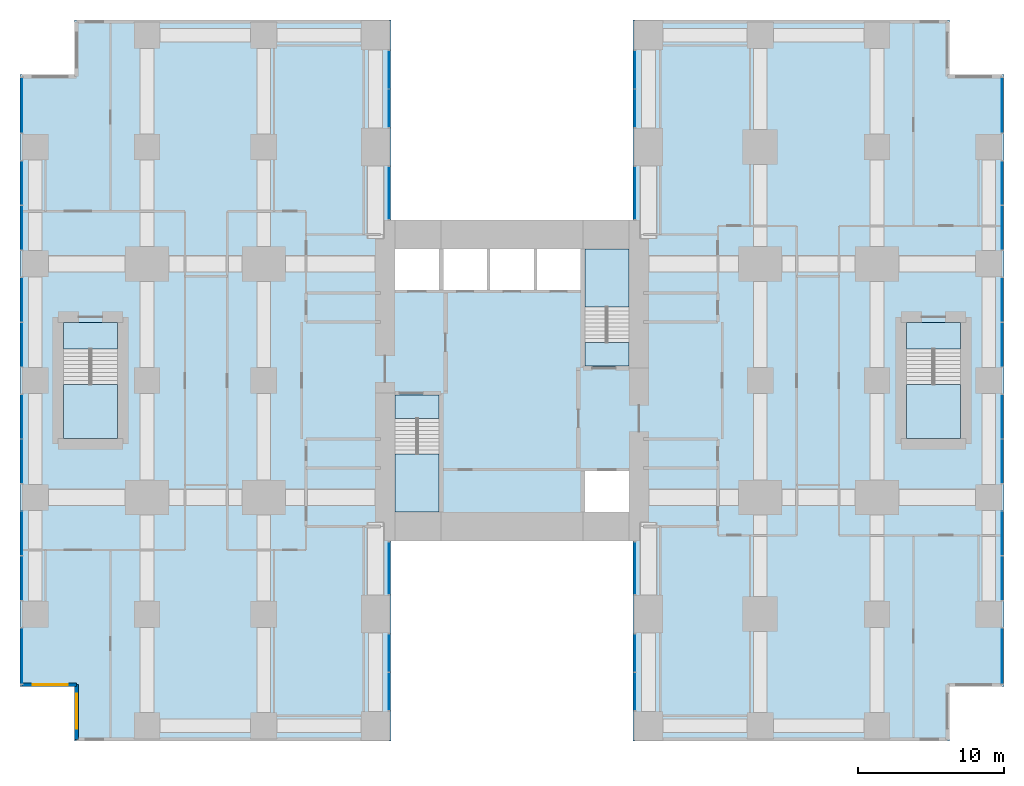
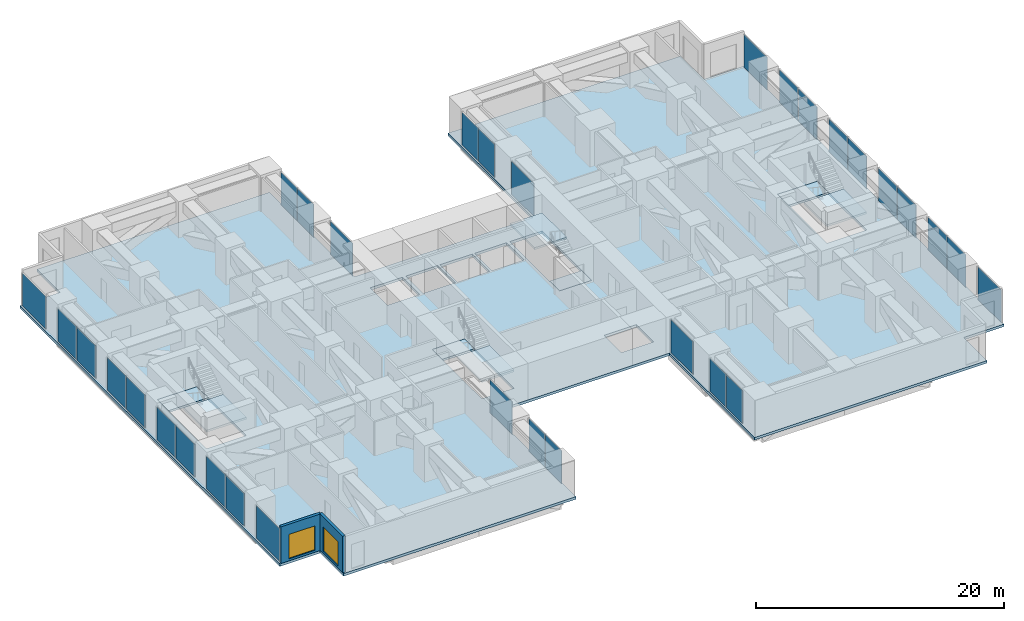
# One storey, part 9 of 14: 32 plates, 9 slabs, 2 walls, 2 windows, 2 openings, 24 elements without a shape of their own.
"""IFC4 building model written with IfcOpenShell, lengths in metres."""

import ifcopenshell
import ifcopenshell.guid

model = None  # the IFC model being written
_history = None  # IfcOwnerHistory: only IFC2X3 demands one
_inside = {}  # id of a spatial element -> (the spatial element, [elements in it])
_under = {}  # id of a project, library or spatial element -> (it, [spatial elements below it])
_declared = {}  # id of a project -> (the project, [libraries it declares])
_typed = {}  # id of a type object -> (the type object, [elements of that type])
_made_of = {}  # id of a material, layer set ... -> (it, [elements and type objects made of it])


def new_model(schema):
    """Start an empty IFC model of exactly this schema.

    Asked for "IFC4X3", IfcOpenShell would pick the latest addendum, in which some entities
    have other attributes; the version numbers below select the first issue.
    IFC2X3 requires an IfcOwnerHistory on every rooted entity: one is made here for all.
    """
    global model, _history
    if schema == "IFC4X3":
        model = ifcopenshell.file(schema_version=(4, 3, 0, 0))
    else:
        model = ifcopenshell.file(schema=schema)
    _inside.clear()
    _under.clear()
    _declared.clear()
    _typed.clear()
    _made_of.clear()
    _history = None
    if model.schema == "IFC2X3":
        org = make("IfcOrganization", Name="unknown")
        user = make(
            "IfcPersonAndOrganization",
            ThePerson=make("IfcPerson", FamilyName="unknown"),
            TheOrganization=org,
        )
        app = make(
            "IfcApplication",
            ApplicationDeveloper=org,
            Version="unknown",
            ApplicationFullName="unknown",
            ApplicationIdentifier="unknown",
        )
        _history = make(
            "IfcOwnerHistory",
            OwningUser=user,
            OwningApplication=app,
            ChangeAction="ADDED",
            CreationDate=0,
        )
    return model


def make(cls, **values):
    """One entity of the class cls with the attributes given. An attribute that is None is left unset."""
    return model.create_entity(
        cls, **{name: value for name, value in values.items() if value is not None}
    )


def rooted(cls, **values):
    """An entity with a GlobalId (a new one), such as an element, a storey or a relation."""
    return make(cls, GlobalId=ifcopenshell.guid.new(), OwnerHistory=_history, **values)


def si_unit(unit_type, name, prefix=None):
    """IfcSIUnit, for example si_unit("LENGTHUNIT", "METRE", prefix="MILLI")."""
    return make("IfcSIUnit", UnitType=unit_type, Prefix=prefix, Name=name)


def assignment(units):
    """IfcUnitAssignment: the units of a project."""
    return None if units is None else make("IfcUnitAssignment", Units=units)


def point(xyz):
    """IfcCartesianPoint."""
    return None if xyz is None else make("IfcCartesianPoint", Coordinates=xyz)


def direction(xyz):
    """IfcDirection."""
    return None if xyz is None else make("IfcDirection", DirectionRatios=xyz)


def frame(location, z_axis=None, x_axis=None):
    """IfcAxis2Placement3D, a coordinate frame: its origin and axes. An axis left out is left unset."""
    return make(
        "IfcAxis2Placement3D",
        Location=point(location),
        Axis=direction(z_axis),
        RefDirection=direction(x_axis),
    )


def frame_2d(location, x_axis=None):
    """IfcAxis2Placement2D, a coordinate frame in the plane: its origin and x axis."""
    return make(
        "IfcAxis2Placement2D", Location=point(location), RefDirection=direction(x_axis)
    )


def origin():
    """The frame at (0, 0, 0) with its axes left unset."""
    return frame((0.0, 0.0, 0.0))


def origin_2d():
    """The frame at (0, 0) in the plane with its x axis left unset."""
    return frame_2d((0.0, 0.0))


def place(relative_to, where):
    """IfcLocalPlacement: puts the frame where relative to a parent placement (None: the world)."""
    return make(
        "IfcLocalPlacement", PlacementRelTo=relative_to, RelativePlacement=where
    )


def context(
    kind, dimensions, precision=None, world=None, true_north=None, identifier=None
):
    """IfcGeometricRepresentationContext, for example the 3D "Model" context."""
    return make(
        "IfcGeometricRepresentationContext",
        ContextIdentifier=identifier,
        ContextType=kind,
        CoordinateSpaceDimension=dimensions,
        Precision=precision,
        WorldCoordinateSystem=world,
        TrueNorth=true_north,
    )


def subcontext(parent, identifier, kind, view, scale=None):
    """IfcGeometricRepresentationSubContext, for example "Body" below "Model"."""
    return make(
        "IfcGeometricRepresentationSubContext",
        ContextIdentifier=identifier,
        ContextType=kind,
        ParentContext=parent,
        TargetScale=scale,
        TargetView=view,
    )


def project(units=None, contexts=None):
    """IfcProject with its units and contexts."""
    return rooted(
        "IfcProject",
        Name="project",
        RepresentationContexts=contexts,
        UnitsInContext=assignment(units),
    )


def spatial(cls, under=None, at=None, **own):
    """A site, building, storey or space (cls), placed at a placement, below another one or the project."""
    s = rooted(cls, ObjectPlacement=at, **own)
    if under is not None:
        _under.setdefault(under.id(), (under, []))[1].append(s)
    return s


def polyline(points):
    """IfcPolyline through the points."""
    return make("IfcPolyline", Points=[point(p) for p in points])


def profile(cls, at=None, kind="AREA", **sizes):
    """A parametric profile (cls). Its sizes go by their IFC names, for example OverallWidth=200.0."""
    return make(cls, ProfileType=kind, Position=at, **sizes)


def rectangle(**sizes):
    """IfcRectangleProfileDef."""
    return profile("IfcRectangleProfileDef", **sizes)


def outline(outer, holes=None, kind="AREA"):
    """IfcArbitraryClosedProfileDef: a profile drawn as a closed curve; with holes, ...WithVoids."""
    if holes is None:
        return make("IfcArbitraryClosedProfileDef", ProfileType=kind, OuterCurve=outer)
    return make(
        "IfcArbitraryProfileDefWithVoids",
        ProfileType=kind,
        OuterCurve=outer,
        InnerCurves=holes,
    )


def extrude(swept, where, along, depth):
    """IfcExtrudedAreaSolid: the profile swept, set in the frame where, extruded along a direction by depth."""
    return make(
        "IfcExtrudedAreaSolid",
        SweptArea=swept,
        Position=where,
        ExtrudedDirection=direction(along),
        Depth=depth,
    )


def shape(context_of_items, identifier, shape_type, items):
    """IfcShapeRepresentation: the items that make up one representation, for example the "Body"."""
    return make(
        "IfcShapeRepresentation",
        ContextOfItems=context_of_items,
        RepresentationIdentifier=identifier,
        RepresentationType=shape_type,
        Items=items,
    )


def material(Name=None, Category=None):
    """IfcMaterial."""
    return make("IfcMaterial", Name=Name, Category=Category)


def layer(
    of_material, thickness, ventilated=None, Name=None, Category=None, Priority=None
):
    """IfcMaterialLayer: one layer of a wall or slab, of a material (None: an air gap)."""
    return make(
        "IfcMaterialLayer",
        Material=of_material,
        LayerThickness=thickness,
        IsVentilated=ventilated,
        Name=Name,
        Category=Category,
        Priority=Priority,
    )


def layer_set(layers, Name=None):
    """IfcMaterialLayerSet."""
    return make("IfcMaterialLayerSet", MaterialLayers=layers, LayerSetName=Name)


def made_of(thing, what):
    """Note that an element or type object is made of a material, layer set ...; save() writes the relation."""
    if what is not None:
        _made_of.setdefault(what.id(), (what, []))[1].append(thing)
    return thing


def type_object(cls, material=None, **own):
    """A type object (cls), such as IfcWallType, which elements share."""
    return made_of(rooted(cls, **own), material)


def element(
    cls,
    number,
    at=None,
    inside=None,
    cuts=None,
    type_object=None,
    material=None,
    context=None,
    identifier="Body",
    shape_type=None,
    held_by="IfcProductDefinitionShape",
    body=None,
    shapes=None,
    **own,
):
    """One element of the class cls, such as IfcWall. Its Tag is "e" and its number.

    at: its placement. inside: the storey or other place that contains it. cuts: it is an
    opening in that element (IfcRelVoidsElement). A single representation is given by context,
    identifier, shape_type and body (its items); several are given by shapes. held_by: the class
    of the entity that holds the representations. save() writes the other relations.
    """
    e = rooted(cls, Tag="e%d" % number, ObjectPlacement=at, **own)
    if body is not None:
        shapes = [shape(context, identifier, shape_type, body)]
    if shapes is not None:
        e.Representation = make(held_by, Representations=shapes)
    if inside is not None:
        _inside.setdefault(inside.id(), (inside, []))[1].append(e)
    if cuts is not None:
        rooted(
            "IfcRelVoidsElement", RelatingBuildingElement=cuts, RelatedOpeningElement=e
        )
    if type_object is not None:
        _typed.setdefault(type_object.id(), (type_object, []))[1].append(e)
    return made_of(e, material)


def fill(opening, filler):
    """IfcRelFillsElement: the door or window that sits in an opening."""
    return rooted(
        "IfcRelFillsElement",
        RelatingOpeningElement=opening,
        RelatedBuildingElement=filler,
    )


def aggregate(whole, parts):
    """IfcRelAggregates: a whole, such as a stair, and the parts it consists of."""
    return rooted("IfcRelAggregates", RelatingObject=whole, RelatedObjects=parts)


def save(model, path):
    """Write the relations noted so far, then the file.

    IfcRelAggregates (storeys below a building ...), IfcRelContainedInSpatialStructure (elements
    in a storey), IfcRelDefinesByType, IfcRelAssociatesMaterial and IfcRelDeclares: one each for
    every whole, place, type object, material and project.
    """
    for whole, parts in _under.values():
        aggregate(whole, parts)
    for where, things in _inside.values():
        rooted(
            "IfcRelContainedInSpatialStructure",
            RelatedElements=things,
            RelatingStructure=where,
        )
    for kind, things in _typed.values():
        rooted("IfcRelDefinesByType", RelatedObjects=things, RelatingType=kind)
    for what, things in _made_of.values():
        rooted("IfcRelAssociatesMaterial", RelatedObjects=things, RelatingMaterial=what)
    for by, libraries in _declared.values():
        rooted("IfcRelDeclares", RelatingContext=by, RelatedDefinitions=libraries)
    model.write(path)


model = new_model("IFC4")

# Units and contexts
model_context = context("Model", 3, precision=1e-05, world=origin(), true_north=direction((0.0, 1.0)))
body_context = subcontext(model_context, "Body", "Model", "MODEL_VIEW")
ifc_project = project(units=[si_unit("LENGTHUNIT", "METRE"), si_unit("AREAUNIT", "SQUARE_METRE"), si_unit("VOLUMEUNIT", "CUBIC_METRE"), si_unit("PLANEANGLEUNIT", "RADIAN"), si_unit("MASSUNIT", "GRAM", prefix="KILO")], contexts=[model_context])

# Site, building, storey
site_placement = place(None, origin())
site = spatial("IfcSite", under=ifc_project, at=site_placement, CompositionType="ELEMENT")
building_placement = place(site_placement, origin())
building = spatial("IfcBuilding", under=site, at=building_placement, Name="Cleftline Residences", CompositionType="ELEMENT")
storey_placement = place(building_placement, frame((0.0, 0.0, 200.199951171875)))
storey = spatial("IfcBuildingStorey", under=building, at=storey_placement, Name="L52", CompositionType="ELEMENT", Elevation=200.199951171875)

# Curtain wall, plates
ifc_material_1 = material(Name="Aluminium framed curtain wall", Category="aluminium")
ifc_layer_1 = layer(ifc_material_1, 0.199951171875)
ifc_layer_set_1 = layer_set([ifc_layer_1], Name="CW1 CLEFT GLAZING")
curtain_wall_type_1 = type_object("IfcCurtainWallType", Name="CW1 CLEFT GLAZING", PredefinedType="NOTDEFINED", material=ifc_layer_set_1)
curtain_wall_1_placement = place(storey_placement, origin())
curtain_wall_1 = element("IfcCurtainWall", 1, at=curtain_wall_1_placement, inside=storey, type_object=curtain_wall_type_1, Name="Curtain wall CW1", PredefinedType="NOTDEFINED")
ifc_material_2 = material(Name="Insulated aluminium panel", Category="aluminium")
ifc_layer_2 = layer(ifc_material_2, 0.028076171875)
ifc_layer_set_2 = layer_set([ifc_layer_2], Name="CW1 INSULATED PANEL")
plate_type_1 = type_object("IfcPlateType", Name="CW1 INSULATED PANEL", PredefinedType="USERDEFINED", material=ifc_layer_set_2)
plate_1_placement = place(storey_placement, frame((24.574951171875, 2.702392578125, 0.06005859375), z_axis=(0.0, 0.0, 1.0), x_axis=(0.0, 1.0, 0.0)))
plate_1 = element("IfcPlate", 2, at=plate_1_placement, type_object=plate_type_1, Name="CW1 panel 1.1", ObjectType="INSULATED PANEL", PredefinedType="USERDEFINED", context=body_context, shape_type="SweptSolid", body=[
    extrude(rectangle(XDim=2.5849609375, YDim=0.028076171875, at=origin_2d()), origin(), (0.0, 0.0, 1.0), 3.22998046875),
])
plate_2_placement = place(storey_placement, frame((24.574951171875, 5.347412109375, 0.06005859375), z_axis=(0.0, 0.0, 1.0), x_axis=(0.0, 1.0, 0.0)))
plate_2 = element("IfcPlate", 3, at=plate_2_placement, type_object=plate_type_1, Name="CW1 panel 2.1", ObjectType="INSULATED PANEL", PredefinedType="USERDEFINED", context=body_context, shape_type="SweptSolid", body=[
    extrude(rectangle(XDim=2.5849609375, YDim=0.028076171875, at=origin_2d()), origin(), (0.0, 0.0, 1.0), 3.22998046875),
])
aggregate(curtain_wall_1, [plate_1, plate_2])

# Curtain wall, plate
curtain_wall_2_placement = place(storey_placement, origin())
curtain_wall_2 = element("IfcCurtainWall", 4, at=curtain_wall_2_placement, inside=storey, type_object=curtain_wall_type_1, Name="Curtain wall CW1", PredefinedType="NOTDEFINED")
plate_3_placement = place(storey_placement, frame((24.574951171875, 11.14990234375, 0.06005859375), z_axis=(0.0, 0.0, 1.0), x_axis=(0.0, 1.0, 0.0)))
plate_3 = element("IfcPlate", 5, at=plate_3_placement, type_object=plate_type_1, Name="CW1 panel 1.1", ObjectType="INSULATED PANEL", PredefinedType="USERDEFINED", context=body_context, shape_type="SweptSolid", body=[
    extrude(rectangle(XDim=3.580078125, YDim=0.028076171875, at=origin_2d()), origin(), (0.0, 0.0, 1.0), 3.22998046875),
])
aggregate(curtain_wall_2, [plate_3])

curtain_wall_3_placement = place(storey_placement, origin())
curtain_wall_3 = element("IfcCurtainWall", 6, at=curtain_wall_3_placement, inside=storey, type_object=curtain_wall_type_1, Name="Curtain wall CW1", PredefinedType="NOTDEFINED")
plate_4_placement = place(storey_placement, frame((41.425048828125, 11.14990234375, 0.06005859375), z_axis=(0.0, 0.0, 1.0), x_axis=(0.0, -1.0, 0.0)))
plate_4 = element("IfcPlate", 7, at=plate_4_placement, type_object=plate_type_1, Name="CW1 panel 1.1", ObjectType="INSULATED PANEL", PredefinedType="USERDEFINED", context=body_context, shape_type="SweptSolid", body=[
    extrude(rectangle(XDim=3.580078125, YDim=0.028076171875, at=origin_2d()), origin(), (0.0, 0.0, 1.0), 3.22998046875),
])
aggregate(curtain_wall_3, [plate_4])

# Curtain wall, plates
curtain_wall_4_placement = place(storey_placement, origin())
curtain_wall_4 = element("IfcCurtainWall", 8, at=curtain_wall_4_placement, inside=storey, type_object=curtain_wall_type_1, Name="Curtain wall CW1", PredefinedType="NOTDEFINED")
plate_5_placement = place(storey_placement, frame((41.425048828125, 5.347412109375, 0.06005859375), z_axis=(0.0, 0.0, 1.0), x_axis=(0.0, -1.0, 0.0)))
plate_5 = element("IfcPlate", 9, at=plate_5_placement, type_object=plate_type_1, Name="CW1 panel 1.1", ObjectType="INSULATED PANEL", PredefinedType="USERDEFINED", context=body_context, shape_type="SweptSolid", body=[
    extrude(rectangle(XDim=2.5849609375, YDim=0.028076171875, at=origin_2d()), origin(), (0.0, 0.0, 1.0), 3.22998046875),
])
plate_6_placement = place(storey_placement, frame((41.425048828125, 2.702392578125, 0.06005859375), z_axis=(0.0, 0.0, 1.0), x_axis=(0.0, -1.0, 0.0)))
plate_6 = element("IfcPlate", 10, at=plate_6_placement, type_object=plate_type_1, Name="CW1 panel 2.1", ObjectType="INSULATED PANEL", PredefinedType="USERDEFINED", context=body_context, shape_type="SweptSolid", body=[
    extrude(rectangle(XDim=2.5849609375, YDim=0.028076171875, at=origin_2d()), origin(), (0.0, 0.0, 1.0), 3.22998046875),
])
aggregate(curtain_wall_4, [plate_5, plate_6])

curtain_wall_5_placement = place(storey_placement, origin())
curtain_wall_5 = element("IfcCurtainWall", 11, at=curtain_wall_5_placement, inside=storey, type_object=curtain_wall_type_1, Name="Curtain wall CW1", PredefinedType="NOTDEFINED")
plate_7_placement = place(storey_placement, frame((41.425048828125, 45.297607421875, 0.06005859375), z_axis=(0.0, 0.0, 1.0), x_axis=(0.0, -1.0, 0.0)))
plate_7 = element("IfcPlate", 12, at=plate_7_placement, type_object=plate_type_1, Name="CW1 panel 1.1", ObjectType="INSULATED PANEL", PredefinedType="USERDEFINED", context=body_context, shape_type="SweptSolid", body=[
    extrude(rectangle(XDim=2.5849609375, YDim=0.028076171875, at=origin_2d()), origin(), (0.0, 0.0, 1.0), 3.22998046875),
])
plate_8_placement = place(storey_placement, frame((41.425048828125, 42.652587890625, 0.06005859375), z_axis=(0.0, 0.0, 1.0), x_axis=(0.0, -1.0, 0.0)))
plate_8 = element("IfcPlate", 13, at=plate_8_placement, type_object=plate_type_1, Name="CW1 panel 2.1", ObjectType="INSULATED PANEL", PredefinedType="USERDEFINED", context=body_context, shape_type="SweptSolid", body=[
    extrude(rectangle(XDim=2.5849609375, YDim=0.028076171875, at=origin_2d()), origin(), (0.0, 0.0, 1.0), 3.22998046875),
])
aggregate(curtain_wall_5, [plate_7, plate_8])

# Curtain wall, plate
curtain_wall_6_placement = place(storey_placement, origin())
curtain_wall_6 = element("IfcCurtainWall", 14, at=curtain_wall_6_placement, inside=storey, type_object=curtain_wall_type_1, Name="Curtain wall CW1", PredefinedType="NOTDEFINED")
plate_9_placement = place(storey_placement, frame((41.425048828125, 36.85009765625, 0.06005859375), z_axis=(0.0, 0.0, 1.0), x_axis=(0.0, -1.0, 0.0)))
plate_9 = element("IfcPlate", 15, at=plate_9_placement, type_object=plate_type_1, Name="CW1 panel 1.1", ObjectType="INSULATED PANEL", PredefinedType="USERDEFINED", context=body_context, shape_type="SweptSolid", body=[
    extrude(rectangle(XDim=3.580078125, YDim=0.028076171875, at=origin_2d()), origin(), (0.0, 0.0, 1.0), 3.22998046875),
])
aggregate(curtain_wall_6, [plate_9])

curtain_wall_7_placement = place(storey_placement, origin())
curtain_wall_7 = element("IfcCurtainWall", 16, at=curtain_wall_7_placement, inside=storey, type_object=curtain_wall_type_1, Name="Curtain wall CW1", PredefinedType="NOTDEFINED")
plate_10_placement = place(storey_placement, frame((24.574951171875, 36.85009765625, 0.06005859375), z_axis=(0.0, 0.0, 1.0), x_axis=(0.0, 1.0, 0.0)))
plate_10 = element("IfcPlate", 17, at=plate_10_placement, type_object=plate_type_1, Name="CW1 panel 1.1", ObjectType="INSULATED PANEL", PredefinedType="USERDEFINED", context=body_context, shape_type="SweptSolid", body=[
    extrude(rectangle(XDim=3.580078125, YDim=0.028076171875, at=origin_2d()), origin(), (0.0, 0.0, 1.0), 3.22998046875),
])
aggregate(curtain_wall_7, [plate_10])

# Curtain wall, plates
curtain_wall_8_placement = place(storey_placement, origin())
curtain_wall_8 = element("IfcCurtainWall", 18, at=curtain_wall_8_placement, inside=storey, type_object=curtain_wall_type_1, Name="Curtain wall CW1", PredefinedType="NOTDEFINED")
plate_11_placement = place(storey_placement, frame((24.574951171875, 42.652587890625, 0.06005859375), z_axis=(0.0, 0.0, 1.0), x_axis=(0.0, 1.0, 0.0)))
plate_11 = element("IfcPlate", 19, at=plate_11_placement, type_object=plate_type_1, Name="CW1 panel 1.1", ObjectType="INSULATED PANEL", PredefinedType="USERDEFINED", context=body_context, shape_type="SweptSolid", body=[
    extrude(rectangle(XDim=2.5849609375, YDim=0.028076171875, at=origin_2d()), origin(), (0.0, 0.0, 1.0), 3.22998046875),
])
plate_12_placement = place(storey_placement, frame((24.574951171875, 45.297607421875, 0.06005859375), z_axis=(0.0, 0.0, 1.0), x_axis=(0.0, 1.0, 0.0)))
plate_12 = element("IfcPlate", 20, at=plate_12_placement, type_object=plate_type_1, Name="CW1 panel 2.1", ObjectType="INSULATED PANEL", PredefinedType="USERDEFINED", context=body_context, shape_type="SweptSolid", body=[
    extrude(rectangle(XDim=2.5849609375, YDim=0.028076171875, at=origin_2d()), origin(), (0.0, 0.0, 1.0), 3.22998046875),
])
aggregate(curtain_wall_8, [plate_11, plate_12])

# Curtain wall, plate
ifc_material_3 = material(Name="Aluminium framed curtain wall", Category="aluminium")
ifc_layer_3 = layer(ifc_material_3, 0.199951171875)
ifc_layer_set_3 = layer_set([ifc_layer_3], Name="CW4 SKY LOUNGE GLAZING")
curtain_wall_type_2 = type_object("IfcCurtainWallType", Name="CW4 SKY LOUNGE GLAZING", PredefinedType="NOTDEFINED", material=ifc_layer_set_3)
curtain_wall_9_placement = place(storey_placement, origin())
curtain_wall_9 = element("IfcCurtainWall", 21, at=curtain_wall_9_placement, inside=storey, type_object=curtain_wall_type_2, Name="Curtain wall CW4", PredefinedType="NOTDEFINED")
ifc_material_4 = material(Name="Laminated clear glass", Category="glass")
ifc_layer_4 = layer(ifc_material_4, 0.028076171875)
ifc_layer_set_4 = layer_set([ifc_layer_4], Name="CW4 GLASS PANEL")
plate_type_2 = type_object("IfcPlateType", Name="CW4 GLASS PANEL", PredefinedType="CURTAIN_PANEL", material=ifc_layer_set_4)
plate_13_placement = place(storey_placement, frame((66.574951171875, 5.137451171875, 0.06494140625), z_axis=(0.0, 0.0, 1.0), x_axis=(0.0, 1.0, 0.0)))
plate_13 = element("IfcPlate", 22, at=plate_13_placement, type_object=plate_type_2, Name="CW4 panel 1.1", PredefinedType="CURTAIN_PANEL", context=body_context, shape_type="SweptSolid", body=[
    extrude(rectangle(XDim=3.794921875, YDim=0.028076171875, at=origin_2d()), origin(), (0.0, 0.0, 1.0), 3.219970703125),
])
aggregate(curtain_wall_9, [plate_13])

curtain_wall_10_placement = place(storey_placement, origin())
curtain_wall_10 = element("IfcCurtainWall", 23, at=curtain_wall_10_placement, inside=storey, type_object=curtain_wall_type_2, Name="Curtain wall CW4", PredefinedType="NOTDEFINED")
plate_14_placement = place(storey_placement, frame((66.574951171875, 42.862548828125, 0.06494140625), z_axis=(0.0, 0.0, 1.0), x_axis=(0.0, 1.0, 0.0)))
plate_14 = element("IfcPlate", 24, at=plate_14_placement, type_object=plate_type_2, Name="CW4 panel 1.1", PredefinedType="CURTAIN_PANEL", context=body_context, shape_type="SweptSolid", body=[
    extrude(rectangle(XDim=3.794921875, YDim=0.028076171875, at=origin_2d()), origin(), (0.0, 0.0, 1.0), 3.219970703125),
])
aggregate(curtain_wall_10, [plate_14])

curtain_wall_11_placement = place(storey_placement, origin())
curtain_wall_11 = element("IfcCurtainWall", 25, at=curtain_wall_11_placement, inside=storey, type_object=curtain_wall_type_2, Name="Curtain wall CW4", PredefinedType="NOTDEFINED")
plate_15_placement = place(storey_placement, frame((-0.574951171875, 42.862548828125, 0.06494140625), z_axis=(0.0, 0.0, 1.0), x_axis=(0.0, -1.0, 0.0)))
plate_15 = element("IfcPlate", 26, at=plate_15_placement, type_object=plate_type_2, Name="CW4 panel 1.1", PredefinedType="CURTAIN_PANEL", context=body_context, shape_type="SweptSolid", body=[
    extrude(rectangle(XDim=3.794921875, YDim=0.028076171875, at=origin_2d()), origin(), (0.0, 0.0, 1.0), 3.219970703125),
])
aggregate(curtain_wall_11, [plate_15])

curtain_wall_12_placement = place(storey_placement, origin())
curtain_wall_12 = element("IfcCurtainWall", 27, at=curtain_wall_12_placement, inside=storey, type_object=curtain_wall_type_2, Name="Curtain wall CW4", PredefinedType="NOTDEFINED")
plate_16_placement = place(storey_placement, frame((-0.574951171875, 5.137451171875, 0.06494140625), z_axis=(0.0, 0.0, 1.0), x_axis=(0.0, -1.0, 0.0)))
plate_16 = element("IfcPlate", 28, at=plate_16_placement, type_object=plate_type_2, Name="CW4 panel 1.1", PredefinedType="CURTAIN_PANEL", context=body_context, shape_type="SweptSolid", body=[
    extrude(rectangle(XDim=3.794921875, YDim=0.028076171875, at=origin_2d()), origin(), (0.0, 0.0, 1.0), 3.219970703125),
])
aggregate(curtain_wall_12, [plate_16])

# Curtain wall, plates
curtain_wall_13_placement = place(storey_placement, origin())
curtain_wall_13 = element("IfcCurtainWall", 29, at=curtain_wall_13_placement, inside=storey, type_object=curtain_wall_type_2, Name="Curtain wall CW4", PredefinedType="NOTDEFINED")
ifc_material_5 = material(Name="Insulated aluminium panel", Category="aluminium")
ifc_layer_5 = layer(ifc_material_5, 0.028076171875)
ifc_layer_set_5 = layer_set([ifc_layer_5], Name="CW4 INSULATED PANEL")
plate_type_3 = type_object("IfcPlateType", Name="CW4 INSULATED PANEL", PredefinedType="USERDEFINED", material=ifc_layer_set_5)
plate_17_placement = place(storey_placement, frame((66.574951171875, 10.46630859375, 0.06494140625), z_axis=(0.0, 0.0, 1.0), x_axis=(0.0, 1.0, 0.0)))
plate_17 = element("IfcPlate", 30, at=plate_17_placement, type_object=plate_type_3, Name="CW4 panel 1.1", ObjectType="INSULATED PANEL", PredefinedType="USERDEFINED", context=body_context, shape_type="SweptSolid", body=[
    extrude(rectangle(XDim=3.00244140625, YDim=0.028076171875, at=origin_2d()), origin(), (0.0, 0.0, 1.0), 3.219970703125),
])
plate_18_placement = place(storey_placement, frame((66.574951171875, 13.53369140625, 0.06494140625), z_axis=(0.0, 0.0, 1.0), x_axis=(0.0, 1.0, 0.0)))
plate_18 = element("IfcPlate", 31, at=plate_18_placement, type_object=plate_type_3, Name="CW4 panel 2.1", ObjectType="INSULATED PANEL", PredefinedType="USERDEFINED", context=body_context, shape_type="SweptSolid", body=[
    extrude(rectangle(XDim=3.00244140625, YDim=0.028076171875, at=origin_2d()), origin(), (0.0, 0.0, 1.0), 3.219970703125),
])
aggregate(curtain_wall_13, [plate_17, plate_18])

curtain_wall_14_placement = place(storey_placement, origin())
curtain_wall_14 = element("IfcCurtainWall", 32, at=curtain_wall_14_placement, inside=storey, type_object=curtain_wall_type_2, Name="Curtain wall CW4", PredefinedType="NOTDEFINED")
plate_19_placement = place(storey_placement, frame((66.574951171875, 18.46630859375, 0.06494140625), z_axis=(0.0, 0.0, 1.0), x_axis=(0.0, 1.0, 0.0)))
plate_19 = element("IfcPlate", 33, at=plate_19_placement, type_object=plate_type_3, Name="CW4 panel 1.1", ObjectType="INSULATED PANEL", PredefinedType="USERDEFINED", context=body_context, shape_type="SweptSolid", body=[
    extrude(rectangle(XDim=3.00244140625, YDim=0.028076171875, at=origin_2d()), origin(), (0.0, 0.0, 1.0), 3.219970703125),
])
plate_20_placement = place(storey_placement, frame((66.574951171875, 21.53369140625, 0.06494140625), z_axis=(0.0, 0.0, 1.0), x_axis=(0.0, 1.0, 0.0)))
plate_20 = element("IfcPlate", 34, at=plate_20_placement, type_object=plate_type_3, Name="CW4 panel 2.1", ObjectType="INSULATED PANEL", PredefinedType="USERDEFINED", context=body_context, shape_type="SweptSolid", body=[
    extrude(rectangle(XDim=3.00244140625, YDim=0.028076171875, at=origin_2d()), origin(), (0.0, 0.0, 1.0), 3.219970703125),
])
aggregate(curtain_wall_14, [plate_19, plate_20])

curtain_wall_15_placement = place(storey_placement, origin())
curtain_wall_15 = element("IfcCurtainWall", 35, at=curtain_wall_15_placement, inside=storey, type_object=curtain_wall_type_2, Name="Curtain wall CW4", PredefinedType="NOTDEFINED")
plate_21_placement = place(storey_placement, frame((66.574951171875, 26.46630859375, 0.06494140625), z_axis=(0.0, 0.0, 1.0), x_axis=(0.0, 1.0, 0.0)))
plate_21 = element("IfcPlate", 36, at=plate_21_placement, type_object=plate_type_3, Name="CW4 panel 1.1", ObjectType="INSULATED PANEL", PredefinedType="USERDEFINED", context=body_context, shape_type="SweptSolid", body=[
    extrude(rectangle(XDim=3.00244140625, YDim=0.028076171875, at=origin_2d()), origin(), (0.0, 0.0, 1.0), 3.219970703125),
])
plate_22_placement = place(storey_placement, frame((66.574951171875, 29.53369140625, 0.06494140625), z_axis=(0.0, 0.0, 1.0), x_axis=(0.0, 1.0, 0.0)))
plate_22 = element("IfcPlate", 37, at=plate_22_placement, type_object=plate_type_3, Name="CW4 panel 2.1", ObjectType="INSULATED PANEL", PredefinedType="USERDEFINED", context=body_context, shape_type="SweptSolid", body=[
    extrude(rectangle(XDim=3.00244140625, YDim=0.028076171875, at=origin_2d()), origin(), (0.0, 0.0, 1.0), 3.219970703125),
])
aggregate(curtain_wall_15, [plate_21, plate_22])

curtain_wall_16_placement = place(storey_placement, origin())
curtain_wall_16 = element("IfcCurtainWall", 38, at=curtain_wall_16_placement, inside=storey, type_object=curtain_wall_type_2, Name="Curtain wall CW4", PredefinedType="NOTDEFINED")
plate_23_placement = place(storey_placement, frame((66.574951171875, 34.46630859375, 0.06494140625), z_axis=(0.0, 0.0, 1.0), x_axis=(0.0, 1.0, 0.0)))
plate_23 = element("IfcPlate", 39, at=plate_23_placement, type_object=plate_type_3, Name="CW4 panel 1.1", ObjectType="INSULATED PANEL", PredefinedType="USERDEFINED", context=body_context, shape_type="SweptSolid", body=[
    extrude(rectangle(XDim=3.00244140625, YDim=0.028076171875, at=origin_2d()), origin(), (0.0, 0.0, 1.0), 3.219970703125),
])
plate_24_placement = place(storey_placement, frame((66.574951171875, 37.53369140625, 0.06494140625), z_axis=(0.0, 0.0, 1.0), x_axis=(0.0, 1.0, 0.0)))
plate_24 = element("IfcPlate", 40, at=plate_24_placement, type_object=plate_type_3, Name="CW4 panel 2.1", ObjectType="INSULATED PANEL", PredefinedType="USERDEFINED", context=body_context, shape_type="SweptSolid", body=[
    extrude(rectangle(XDim=3.00244140625, YDim=0.028076171875, at=origin_2d()), origin(), (0.0, 0.0, 1.0), 3.219970703125),
])
aggregate(curtain_wall_16, [plate_23, plate_24])

curtain_wall_17_placement = place(storey_placement, origin())
curtain_wall_17 = element("IfcCurtainWall", 41, at=curtain_wall_17_placement, inside=storey, type_object=curtain_wall_type_2, Name="Curtain wall CW4", PredefinedType="NOTDEFINED")
plate_25_placement = place(storey_placement, frame((-0.574951171875, 37.53369140625, 0.06494140625), z_axis=(0.0, 0.0, 1.0), x_axis=(0.0, -1.0, 0.0)))
plate_25 = element("IfcPlate", 42, at=plate_25_placement, type_object=plate_type_3, Name="CW4 panel 1.1", ObjectType="INSULATED PANEL", PredefinedType="USERDEFINED", context=body_context, shape_type="SweptSolid", body=[
    extrude(rectangle(XDim=3.00244140625, YDim=0.028076171875, at=origin_2d()), origin(), (0.0, 0.0, 1.0), 3.219970703125),
])
plate_26_placement = place(storey_placement, frame((-0.574951171875, 34.46630859375, 0.06494140625), z_axis=(0.0, 0.0, 1.0), x_axis=(0.0, -1.0, 0.0)))
plate_26 = element("IfcPlate", 43, at=plate_26_placement, type_object=plate_type_3, Name="CW4 panel 2.1", ObjectType="INSULATED PANEL", PredefinedType="USERDEFINED", context=body_context, shape_type="SweptSolid", body=[
    extrude(rectangle(XDim=3.00244140625, YDim=0.028076171875, at=origin_2d()), origin(), (0.0, 0.0, 1.0), 3.219970703125),
])
aggregate(curtain_wall_17, [plate_25, plate_26])

curtain_wall_18_placement = place(storey_placement, origin())
curtain_wall_18 = element("IfcCurtainWall", 44, at=curtain_wall_18_placement, inside=storey, type_object=curtain_wall_type_2, Name="Curtain wall CW4", PredefinedType="NOTDEFINED")
plate_27_placement = place(storey_placement, frame((-0.574951171875, 29.53369140625, 0.06494140625), z_axis=(0.0, 0.0, 1.0), x_axis=(0.0, -1.0, 0.0)))
plate_27 = element("IfcPlate", 45, at=plate_27_placement, type_object=plate_type_3, Name="CW4 panel 1.1", ObjectType="INSULATED PANEL", PredefinedType="USERDEFINED", context=body_context, shape_type="SweptSolid", body=[
    extrude(rectangle(XDim=3.00244140625, YDim=0.028076171875, at=origin_2d()), origin(), (0.0, 0.0, 1.0), 3.219970703125),
])
plate_28_placement = place(storey_placement, frame((-0.574951171875, 26.46630859375, 0.06494140625), z_axis=(0.0, 0.0, 1.0), x_axis=(0.0, -1.0, 0.0)))
plate_28 = element("IfcPlate", 46, at=plate_28_placement, type_object=plate_type_3, Name="CW4 panel 2.1", ObjectType="INSULATED PANEL", PredefinedType="USERDEFINED", context=body_context, shape_type="SweptSolid", body=[
    extrude(rectangle(XDim=3.00244140625, YDim=0.028076171875, at=origin_2d()), origin(), (0.0, 0.0, 1.0), 3.219970703125),
])
aggregate(curtain_wall_18, [plate_27, plate_28])

curtain_wall_19_placement = place(storey_placement, origin())
curtain_wall_19 = element("IfcCurtainWall", 47, at=curtain_wall_19_placement, inside=storey, type_object=curtain_wall_type_2, Name="Curtain wall CW4", PredefinedType="NOTDEFINED")
plate_29_placement = place(storey_placement, frame((-0.574951171875, 21.53369140625, 0.06494140625), z_axis=(0.0, 0.0, 1.0), x_axis=(0.0, -1.0, 0.0)))
plate_29 = element("IfcPlate", 48, at=plate_29_placement, type_object=plate_type_3, Name="CW4 panel 1.1", ObjectType="INSULATED PANEL", PredefinedType="USERDEFINED", context=body_context, shape_type="SweptSolid", body=[
    extrude(rectangle(XDim=3.00244140625, YDim=0.028076171875, at=origin_2d()), origin(), (0.0, 0.0, 1.0), 3.219970703125),
])
plate_30_placement = place(storey_placement, frame((-0.574951171875, 18.46630859375, 0.06494140625), z_axis=(0.0, 0.0, 1.0), x_axis=(0.0, -1.0, 0.0)))
plate_30 = element("IfcPlate", 49, at=plate_30_placement, type_object=plate_type_3, Name="CW4 panel 2.1", ObjectType="INSULATED PANEL", PredefinedType="USERDEFINED", context=body_context, shape_type="SweptSolid", body=[
    extrude(rectangle(XDim=3.00244140625, YDim=0.028076171875, at=origin_2d()), origin(), (0.0, 0.0, 1.0), 3.219970703125),
])
aggregate(curtain_wall_19, [plate_29, plate_30])

curtain_wall_20_placement = place(storey_placement, origin())
curtain_wall_20 = element("IfcCurtainWall", 50, at=curtain_wall_20_placement, inside=storey, type_object=curtain_wall_type_2, Name="Curtain wall CW4", PredefinedType="NOTDEFINED")
plate_31_placement = place(storey_placement, frame((-0.574951171875, 13.53369140625, 0.06494140625), z_axis=(0.0, 0.0, 1.0), x_axis=(0.0, -1.0, 0.0)))
plate_31 = element("IfcPlate", 51, at=plate_31_placement, type_object=plate_type_3, Name="CW4 panel 1.1", ObjectType="INSULATED PANEL", PredefinedType="USERDEFINED", context=body_context, shape_type="SweptSolid", body=[
    extrude(rectangle(XDim=3.00244140625, YDim=0.028076171875, at=origin_2d()), origin(), (0.0, 0.0, 1.0), 3.219970703125),
])
plate_32_placement = place(storey_placement, frame((-0.574951171875, 10.46630859375, 0.06494140625), z_axis=(0.0, 0.0, 1.0), x_axis=(0.0, -1.0, 0.0)))
plate_32 = element("IfcPlate", 52, at=plate_32_placement, type_object=plate_type_3, Name="CW4 panel 2.1", ObjectType="INSULATED PANEL", PredefinedType="USERDEFINED", context=body_context, shape_type="SweptSolid", body=[
    extrude(rectangle(XDim=3.00244140625, YDim=0.028076171875, at=origin_2d()), origin(), (0.0, 0.0, 1.0), 3.219970703125),
])
aggregate(curtain_wall_20, [plate_31, plate_32])

# Slab
ifc_material_6 = material(Name="Concrete B45", Category="concrete")
ifc_layer_6 = layer(ifc_material_6, 0.25)
ifc_layer_set_6 = layer_set([ifc_layer_6], Name="FLOOR SLAB 250")
slab_type_1 = type_object("IfcSlabType", Name="FLOOR SLAB 250", PredefinedType="FLOOR", material=ifc_layer_set_6)
slab_1_placement = place(storey_placement, frame((0.0, 0.0, -0.25)))
element("IfcSlab", 53, at=slab_1_placement, inside=storey, type_object=slab_type_1, Name="Floor slab L52", PredefinedType="FLOOR", context=body_context, shape_type="SweptSolid", body=[
    extrude(outline(polyline([(24.699951171875, 13.0), (41.300048828125, 13.0), (41.300048828125, -0.699951171875), (62.949951171875, -0.699951171875), (62.949951171875, 3.050048828125), (66.699951171875, 3.050048828125), (66.699951171875, 44.949951171875), (62.949951171875, 44.949951171875), (62.949951171875, 48.699951171875), (41.300048828125, 48.699951171875), (41.300048828125, 35.0), (24.699951171875, 35.0), (24.699951171875, 48.699951171875), (3.050048828125, 48.699951171875), (3.050048828125, 44.949951171875), (-0.699951171875, 44.949951171875), (-0.699951171875, 3.050048828125), (3.050048828125, 3.050048828125), (3.050048828125, -0.699951171875), (24.699951171875, -0.699951171875), (24.699951171875, 13.0)]), holes=[polyline([(28.0, 15.0), (28.0, 23.0), (25.0, 23.0), (25.0, 15.0), (28.0, 15.0)]), polyline([(41.0, 25.0), (41.0, 33.0), (38.0, 33.0), (38.0, 25.0), (41.0, 25.0)]), polyline([(28.0, 30.199951171875), (28.0, 33.0), (25.0, 33.0), (25.0, 30.199951171875), (28.0, 30.199951171875)]), polyline([(41.0, 15.0), (41.0, 17.800048828125), (38.0, 17.800048828125), (38.0, 15.0), (41.0, 15.0)]), polyline([(31.300048828125, 30.199951171875), (31.300048828125, 33.0), (28.300048828125, 33.0), (28.300048828125, 30.199951171875), (31.300048828125, 30.199951171875)]), polyline([(34.5, 30.199951171875), (34.5, 33.0), (31.5, 33.0), (31.5, 30.199951171875), (34.5, 30.199951171875)]), polyline([(37.699951171875, 30.199951171875), (37.699951171875, 33.0), (34.699951171875, 33.0), (34.699951171875, 30.199951171875), (37.699951171875, 30.199951171875)]), polyline([(63.72509765625, 20.02490234375), (63.72509765625, 27.97509765625), (60.02490234375, 27.97509765625), (60.02490234375, 20.02490234375), (63.72509765625, 20.02490234375)]), polyline([(5.97509765625, 20.02490234375), (5.97509765625, 27.97509765625), (2.27490234375, 27.97509765625), (2.27490234375, 20.02490234375), (5.97509765625, 20.02490234375)])]), origin(), (0.0, 0.0, 1.0), 0.25),
])

# Stair, slabs
ifc_material_7 = material(Name="Concrete B45, stone treads", Category="masonry")
stair_type_1 = type_object("IfcStairType", Name="STAIR A 1450 WIDE 180 RISER", PredefinedType="HALF_TURN_STAIR", material=ifc_material_7)
stair_1_placement = place(storey_placement, origin())
stair_1 = element("IfcStair", 54, at=stair_1_placement, inside=storey, type_object=stair_type_1, Name="Stair A L52", PredefinedType="HALF_TURN_STAIR")
ifc_material_8 = material(Name="Concrete B45", Category="concrete")
ifc_layer_7 = layer(ifc_material_8, 0.199951171875)
ifc_layer_set_7 = layer_set([ifc_layer_7], Name="STAIR LANDING 200")
slab_type_2 = type_object("IfcSlabType", Name="STAIR LANDING 200", PredefinedType="LANDING", material=ifc_layer_set_7)
slab_2_placement = place(storey_placement, frame((0.0, 0.0, -0.199951171875)))
slab_2 = element("IfcSlab", 55, at=slab_2_placement, type_object=slab_type_2, Name="ST-A landing 1", PredefinedType="LANDING", context=body_context, shape_type="SweptSolid", body=[
    extrude(outline(polyline([(25.0, 21.39990234375), (28.0, 21.39990234375), (28.0, 23.0), (25.0, 23.0), (25.0, 21.39990234375)])), origin(), (0.0, 0.0, 1.0), 0.199951171875),
])
slab_3_placement = place(storey_placement, frame((0.0, 0.0, 1.60009765625)))
slab_3 = element("IfcSlab", 56, at=slab_3_placement, type_object=slab_type_2, Name="ST-A landing 2", PredefinedType="LANDING", context=body_context, shape_type="SweptSolid", body=[
    extrude(outline(polyline([(25.0, 15.0), (28.0, 15.0), (28.0, 18.969970703125), (25.0, 18.969970703125), (25.0, 15.0)])), origin(), (0.0, 0.0, 1.0), 0.199951171875),
])
aggregate(stair_1, [slab_2, slab_3])

ifc_material_9 = material(Name="Concrete B45, stone treads", Category="masonry")
stair_type_2 = type_object("IfcStairType", Name="STAIR B 1450 WIDE 180 RISER", PredefinedType="HALF_TURN_STAIR", material=ifc_material_9)
stair_2_placement = place(storey_placement, origin())
stair_2 = element("IfcStair", 57, at=stair_2_placement, inside=storey, type_object=stair_type_2, Name="Stair B L52", PredefinedType="HALF_TURN_STAIR")
slab_4_placement = place(storey_placement, frame((0.0, 0.0, -0.199951171875)))
slab_4 = element("IfcSlab", 58, at=slab_4_placement, type_object=slab_type_2, Name="ST-B landing 1", PredefinedType="LANDING", context=body_context, shape_type="SweptSolid", body=[
    extrude(outline(polyline([(38.0, 25.0), (41.0, 25.0), (41.0, 26.60009765625), (38.0, 26.60009765625), (38.0, 25.0)])), origin(), (0.0, 0.0, 1.0), 0.199951171875),
])
slab_5_placement = place(storey_placement, frame((0.0, 0.0, 1.60009765625)))
slab_5 = element("IfcSlab", 59, at=slab_5_placement, type_object=slab_type_2, Name="ST-B landing 2", PredefinedType="LANDING", context=body_context, shape_type="SweptSolid", body=[
    extrude(outline(polyline([(38.0, 29.030029296875), (41.0, 29.030029296875), (41.0, 33.0), (38.0, 33.0), (38.0, 29.030029296875)])), origin(), (0.0, 0.0, 1.0), 0.199951171875),
])
aggregate(stair_2, [slab_4, slab_5])

ifc_material_10 = material(Name="Concrete B45, stone treads", Category="masonry")
stair_type_3 = type_object("IfcStairType", Name="STAIR E 1800 WIDE 180 RISER", PredefinedType="HALF_TURN_STAIR", material=ifc_material_10)
stair_3_placement = place(storey_placement, origin())
stair_3 = element("IfcStair", 60, at=stair_3_placement, inside=storey, type_object=stair_type_3, Name="Stair E L52", PredefinedType="HALF_TURN_STAIR")
slab_6_placement = place(storey_placement, frame((0.0, 0.0, -0.199951171875)))
slab_6 = element("IfcSlab", 61, at=slab_6_placement, type_object=slab_type_2, Name="ST-E landing 1", PredefinedType="LANDING", context=body_context, shape_type="SweptSolid", body=[
    extrude(outline(polyline([(60.02490234375, 26.175048828125), (63.72509765625, 26.175048828125), (63.72509765625, 27.97509765625), (60.02490234375, 27.97509765625), (60.02490234375, 26.175048828125)])), origin(), (0.0, 0.0, 1.0), 0.199951171875),
])
slab_7_placement = place(storey_placement, frame((0.0, 0.0, 1.60009765625)))
slab_7 = element("IfcSlab", 62, at=slab_7_placement, type_object=slab_type_2, Name="ST-E landing 2", PredefinedType="LANDING", context=body_context, shape_type="SweptSolid", body=[
    extrude(outline(polyline([(60.02490234375, 20.02490234375), (63.72509765625, 20.02490234375), (63.72509765625, 23.7451171875), (60.02490234375, 23.7451171875), (60.02490234375, 20.02490234375)])), origin(), (0.0, 0.0, 1.0), 0.199951171875),
])
aggregate(stair_3, [slab_6, slab_7])

ifc_material_11 = material(Name="Concrete B45, stone treads", Category="masonry")
stair_type_4 = type_object("IfcStairType", Name="STAIR W 1800 WIDE 180 RISER", PredefinedType="HALF_TURN_STAIR", material=ifc_material_11)
stair_4_placement = place(storey_placement, origin())
stair_4 = element("IfcStair", 63, at=stair_4_placement, inside=storey, type_object=stair_type_4, Name="Stair W L52", PredefinedType="HALF_TURN_STAIR")
slab_8_placement = place(storey_placement, frame((0.0, 0.0, -0.199951171875)))
slab_8 = element("IfcSlab", 64, at=slab_8_placement, type_object=slab_type_2, Name="ST-W landing 1", PredefinedType="LANDING", context=body_context, shape_type="SweptSolid", body=[
    extrude(outline(polyline([(2.27490234375, 26.175048828125), (5.97509765625, 26.175048828125), (5.97509765625, 27.97509765625), (2.27490234375, 27.97509765625), (2.27490234375, 26.175048828125)])), origin(), (0.0, 0.0, 1.0), 0.199951171875),
])
slab_9_placement = place(storey_placement, frame((0.0, 0.0, 1.60009765625)))
slab_9 = element("IfcSlab", 65, at=slab_9_placement, type_object=slab_type_2, Name="ST-W landing 2", PredefinedType="LANDING", context=body_context, shape_type="SweptSolid", body=[
    extrude(outline(polyline([(2.27490234375, 20.02490234375), (5.97509765625, 20.02490234375), (5.97509765625, 23.7451171875), (2.27490234375, 23.7451171875), (2.27490234375, 20.02490234375)])), origin(), (0.0, 0.0, 1.0), 0.199951171875),
])
aggregate(stair_4, [slab_8, slab_9])

# Wall, opening, window
ifc_material_12 = material(Name="Rendered reinforced concrete blockwork", Category="masonry")
ifc_layer_8 = layer(ifc_material_12, 0.25)
ifc_layer_set_8 = layer_set([ifc_layer_8], Name="EXTERNAL WALL 250")
wall_type = type_object("IfcWallType", Name="EXTERNAL WALL 250", PredefinedType="SOLIDWALL", material=ifc_layer_set_8)
wall_1_placement = place(storey_placement, frame((-0.574951171875, 3.175048828125, 0.0), z_axis=(0.0, 0.0, 1.0), x_axis=(1.0, 0.0, 0.0)))
wall_1 = element("IfcWall", 66, at=wall_1_placement, inside=storey, type_object=wall_type, Name="External wall", PredefinedType="SOLIDWALL", context=body_context, shape_type="SweptSolid", body=[
    extrude(rectangle(XDim=3.75, YDim=0.25, at=frame_2d((1.875, 0.0))), origin(), (0.0, 0.0, 1.0), 3.60009765625),
])
opening_1_placement = place(wall_1_placement, frame((0.737548828125, 0.0, 0.199951171875)))
opening_1 = element("IfcOpeningElement", 67, at=opening_1_placement, cuts=wall_1, Name="Opening W9", PredefinedType="OPENING", context=body_context, shape_type="SweptSolid", body=[
    extrude(rectangle(XDim=2.39990234375, YDim=2.39990234375, at=frame_2d((1.199951171875, 1.199951171875))), frame((0.0, 0.135009765625, 0.0), z_axis=(0.0, -1.0, 0.0), x_axis=(1.0, 0.0, 0.0)), (0.0, 0.0, 1.0), 0.27001953125),
])
ifc_material_13 = material(Name="Aluminium frame, clear double glazing", Category="aluminium")
window_type = type_object("IfcWindowType", Name="WINDOW 2400X2400", PartitioningType="DOUBLE_PANEL_VERTICAL", PredefinedType="WINDOW", material=ifc_material_13)
window_1_placement = place(opening_1_placement, origin())
window_1 = element("IfcWindow", 68, at=window_1_placement, inside=storey, type_object=window_type, Name="Window", OverallHeight=2.39990234375, OverallWidth=2.39990234375, PartitioningType="SINGLE_PANEL", PredefinedType="WINDOW", context=body_context, shape_type="SweptSolid", body=[
    extrude(rectangle(XDim=2.39990234375, YDim=2.39990234375, at=frame_2d((1.199951171875, 1.199951171875))), frame((0.0, 0.030029296875, 0.0), z_axis=(0.0, -1.0, 0.0), x_axis=(1.0, 0.0, 0.0)), (0.0, 0.0, 1.0), 0.06005859375),
])
fill(opening_1, window_1)

wall_2_placement = place(storey_placement, frame((3.175048828125, 3.175048828125, 0.0), z_axis=(0.0, 0.0, 1.0), x_axis=(0.0, -1.0, 0.0)))
wall_2 = element("IfcWall", 69, at=wall_2_placement, inside=storey, type_object=wall_type, Name="External wall", PredefinedType="SOLIDWALL", context=body_context, shape_type="SweptSolid", body=[
    extrude(rectangle(XDim=3.75, YDim=0.25, at=frame_2d((1.875, 0.0))), origin(), (0.0, 0.0, 1.0), 3.60009765625),
])
opening_2_placement = place(wall_2_placement, frame((0.612548828125, 0.0, 0.199951171875)))
opening_2 = element("IfcOpeningElement", 70, at=opening_2_placement, cuts=wall_2, Name="Opening W9", PredefinedType="OPENING", context=body_context, shape_type="SweptSolid", body=[
    extrude(rectangle(XDim=2.39990234375, YDim=2.39990234375, at=frame_2d((1.199951171875, 1.199951171875))), frame((0.0, 0.135009765625, 0.0), z_axis=(0.0, -1.0, 0.0), x_axis=(1.0, 0.0, 0.0)), (0.0, 0.0, 1.0), 0.27001953125),
])
window_2_placement = place(opening_2_placement, origin())
window_2 = element("IfcWindow", 71, at=window_2_placement, inside=storey, type_object=window_type, Name="Window", OverallHeight=2.39990234375, OverallWidth=2.39990234375, PartitioningType="SINGLE_PANEL", PredefinedType="WINDOW", context=body_context, shape_type="SweptSolid", body=[
    extrude(rectangle(XDim=2.39990234375, YDim=2.39990234375, at=frame_2d((1.199951171875, 1.199951171875))), frame((0.0, 0.030029296875, 0.0), z_axis=(0.0, -1.0, 0.0), x_axis=(1.0, 0.0, 0.0)), (0.0, 0.0, 1.0), 0.06005859375),
])
fill(opening_2, window_2)

save(model, "model.ifc")
